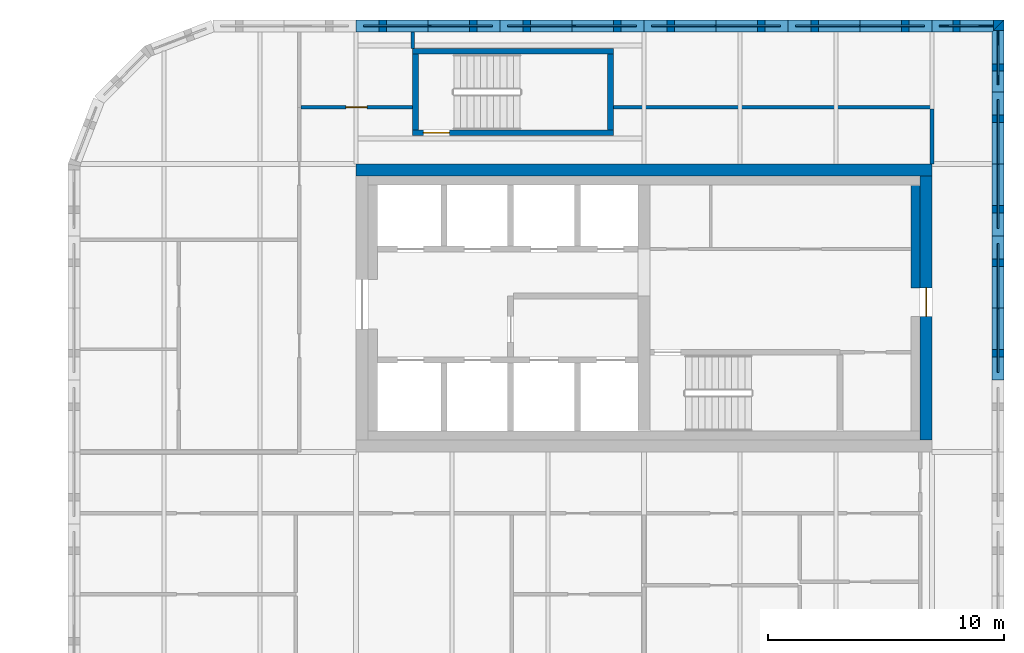
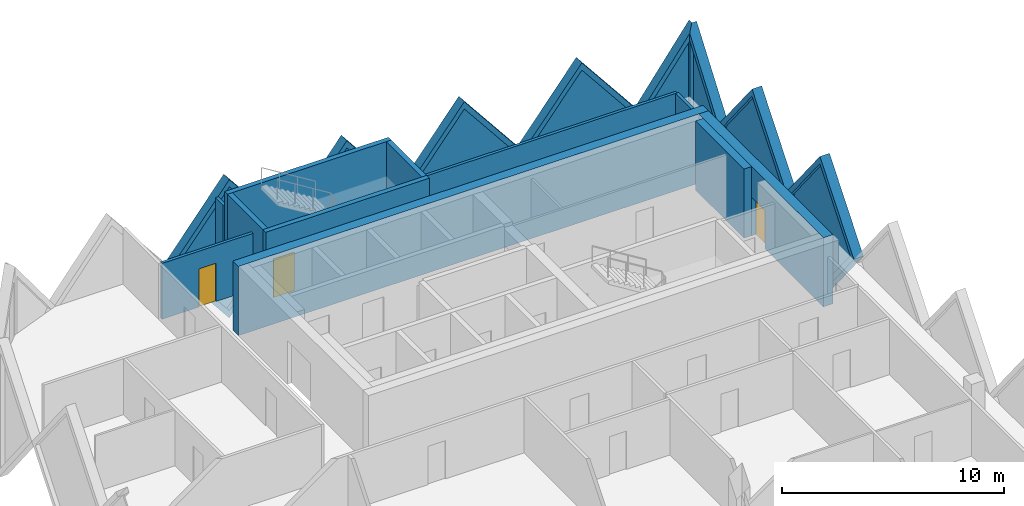
# One storey, part 15 of 18: 19 walls, 8 plates, 3 doors, 11 openings.
"""IFC4 building model written with IfcOpenShell, lengths in metres."""

from ifc_helpers import new_model, si_unit, direction, frame, frame_2d, origin, place, context, subcontext, project, spatial, polyline, rectangle, outline, extrude, faceted_brep, source, transform, mapped, material, layer, layer_set, type_object, element, fill, save


model = new_model("IFC4")

# Units and contexts
model_context = context("Model", 3, precision=1e-05, world=origin(), true_north=direction((0.0, 1.0)))
body_context = subcontext(model_context, "Body", "Model", "MODEL_VIEW")
ifc_project = project(units=[si_unit("LENGTHUNIT", "METRE"), si_unit("AREAUNIT", "SQUARE_METRE"), si_unit("VOLUMEUNIT", "CUBIC_METRE"), si_unit("PLANEANGLEUNIT", "RADIAN"), si_unit("MASSUNIT", "GRAM", prefix="KILO")], contexts=[model_context])

# Site, building, storey
site_placement = place(None, origin())
site = spatial("IfcSite", under=ifc_project, at=site_placement, CompositionType="ELEMENT")
building_placement = place(site_placement, origin())
building = spatial("IfcBuilding", under=site, at=building_placement, Name="Tessera Gate Towers", CompositionType="ELEMENT")
storey_placement = place(building_placement, frame((0.0, 0.0, 99.0)))
storey = spatial("IfcBuildingStorey", under=building, at=storey_placement, Name="L24", CompositionType="ELEMENT", Elevation=99.0)

# Wall, opening, door
ifc_material_1 = material(Name="Concrete C40/50", Category="concrete")
ifc_layer_1 = layer(ifc_material_1, 0.25)
ifc_layer_set_1 = layer_set([ifc_layer_1], Name="CORE ENCLOSURE WALL 250")
wall_type_1 = type_object("IfcWallType", Name="CORE ENCLOSURE WALL 250", PredefinedType="SOLIDWALL", material=ifc_layer_set_1)
wall_1_placement = place(storey_placement, frame((108.5, 50.125, 0.0), z_axis=(0.0, 0.0, 1.0), x_axis=(-1.0, 0.0, 0.0)))
wall_1 = element("IfcWall", 1, at=wall_1_placement, inside=storey, type_object=wall_type_1, Name="L24 ST7 enclosure wall", PredefinedType="SOLIDWALL", context=body_context, shape_type="SweptSolid", body=[
    extrude(rectangle(XDim=8.5, YDim=0.25, at=frame_2d((4.25, 0.0))), origin(), (0.0, 0.0, 1.0), 3.800048828125),
])
shared_shape_1 = source(origin(), body_context, "Body", "SweptSolid", [
    extrude(rectangle(XDim=1.10009765625, YDim=2.10009765625, at=frame_2d((0.550048828125, 1.050048828125))), frame((0.0, 0.135009765625, 0.0), z_axis=(0.0, -1.0, 0.0), x_axis=(1.0, 0.0, 0.0)), (0.0, 0.0, 1.0), 0.27001953125),
])
opening_1_placement = place(wall_1_placement, frame((6.949951171875, 0.0, 0.0)))
opening_1 = element("IfcOpeningElement", 2, at=opening_1_placement, cuts=wall_1, Name="Opening SD-ST7-1", PredefinedType="OPENING", context=body_context, shape_type="MappedRepresentation", body=[
    mapped(shared_shape_1, transform((0.0, 0.0, 0.0), scale=1.0)),
])
ifc_material_2 = material(Name="Hollow steel fire door", Category="steel")
door_type_1 = type_object("IfcDoorType", Name="CORE DOOR SD1100 1100x2100", OperationType="NOTDEFINED", PredefinedType="DOOR", material=ifc_material_2)
shared_shape_2 = source(origin(), body_context, "Body", "SweptSolid", [
    extrude(rectangle(XDim=1.10009765625, YDim=2.10009765625, at=frame_2d((0.550048828125, 1.050048828125))), frame((0.0, 0.02490234375, 0.0), z_axis=(0.0, -1.0, 0.0), x_axis=(1.0, 0.0, 0.0)), (0.0, 0.0, 1.0), 0.050048828125),
])
door_1_placement = place(opening_1_placement, origin())
door_1 = element("IfcDoor", 3, at=door_1_placement, inside=storey, type_object=door_type_1, Name="Stair door", OperationType="SINGLE_SWING_RIGHT", OverallHeight=2.10009765625, OverallWidth=1.10009765625, PredefinedType="DOOR", context=body_context, shape_type="MappedRepresentation", body=[
    mapped(shared_shape_2, transform((0.0, 0.0, 0.0), scale=1.0)),
])
fill(opening_1, door_1)

# Walls
wall_2_placement = place(storey_placement, frame((100.125, 50.25, 0.0), z_axis=(0.0, 0.0, 1.0), x_axis=(0.0, 1.0, 0.0)))
element("IfcWall", 4, at=wall_2_placement, inside=storey, type_object=wall_type_1, Name="L24 ST7 enclosure wall", PredefinedType="SOLIDWALL", context=body_context, shape_type="SweptSolid", body=[
    extrude(rectangle(XDim=3.199951171875, YDim=0.25, at=frame_2d((1.60009765625, 0.0))), origin(), (0.0, 0.0, 1.0), 3.800048828125),
])
wall_3_placement = place(storey_placement, frame((100.0, 53.574951171875, 0.0), z_axis=(0.0, 0.0, 1.0), x_axis=(1.0, 0.0, 0.0)))
element("IfcWall", 5, at=wall_3_placement, inside=storey, type_object=wall_type_1, Name="L24 ST7 enclosure wall", PredefinedType="SOLIDWALL", context=body_context, shape_type="SweptSolid", body=[
    extrude(rectangle(XDim=8.5, YDim=0.25, at=frame_2d((4.25, 0.0))), origin(), (0.0, 0.0, 1.0), 3.800048828125),
])
wall_4_placement = place(storey_placement, frame((108.375, 53.449951171875, 0.0), z_axis=(0.0, 0.0, 1.0), x_axis=(0.0, -1.0, 0.0)))
element("IfcWall", 6, at=wall_4_placement, inside=storey, type_object=wall_type_1, Name="L24 ST7 enclosure wall", PredefinedType="SOLIDWALL", context=body_context, shape_type="SweptSolid", body=[
    extrude(rectangle(XDim=3.199951171875, YDim=0.25, at=frame_2d((1.60009765625, 0.0))), origin(), (0.0, 0.0, 1.0), 3.800048828125),
])
ifc_material_3 = material(Name="Concrete C50/60", Category="concrete")
ifc_layer_2 = layer(ifc_material_3, 0.5)
ifc_layer_set_2 = layer_set([ifc_layer_2], Name="CORE SHEAR WALL 500 C50/60")
wall_type_2 = type_object("IfcWallType", Name="CORE SHEAR WALL 500 C50/60", PredefinedType="SHEAR", material=ifc_layer_set_2)
wall_5_placement = place(storey_placement, frame((97.60009765625, 48.550048828125, 0.0), z_axis=(0.0, 0.0, 1.0), x_axis=(1.0, 0.0, 0.0)))
element("IfcWall", 7, at=wall_5_placement, inside=storey, type_object=wall_type_2, Name="Core wall N L24", PredefinedType="SHEAR", context=body_context, shape_type="SweptSolid", body=[
    extrude(rectangle(XDim=24.39990234375, YDim=0.5, at=frame_2d((12.199951171875, 0.0))), origin(), (0.0, 0.0, 1.0), 3.800048828125),
])

# Wall, opening, door
wall_6_placement = place(storey_placement, frame((121.75, 48.300048828125, 0.0), z_axis=(0.0, 0.0, 1.0), x_axis=(0.0, -1.0, 0.0)))
wall_6 = element("IfcWall", 8, at=wall_6_placement, inside=storey, type_object=wall_type_2, Name="Core wall E L24", PredefinedType="SHEAR", context=body_context, shape_type="SweptSolid", body=[
    extrude(rectangle(XDim=11.199951171875, YDim=0.5, at=frame_2d((5.60009765625, 0.0))), origin(), (0.0, 0.0, 1.0), 3.800048828125),
])
shared_shape_3 = source(origin(), body_context, "Body", "SweptSolid", [
    extrude(rectangle(XDim=1.199951171875, YDim=2.10009765625, at=frame_2d((0.60009765625, 1.050048828125))), frame((0.0, 0.260009765625, 0.0), z_axis=(0.0, -1.0, 0.0), x_axis=(1.0, 0.0, 0.0)), (0.0, 0.0, 1.0), 0.52001953125),
])
opening_2_placement = place(wall_6_placement, frame((4.75, 0.0, 0.0)))
opening_2 = element("IfcOpeningElement", 9, at=opening_2_placement, cuts=wall_6, Name="Opening ED-T2-12-02", PredefinedType="OPENING", context=body_context, shape_type="MappedRepresentation", body=[
    mapped(shared_shape_3, transform((0.0, 0.0, 0.0), scale=1.0)),
])
ifc_material_4 = material(Name="Hollow steel fire door", Category="steel")
door_type_2 = type_object("IfcDoorType", Name="CORE DOOR ED 1200x2100", OperationType="NOTDEFINED", PredefinedType="DOOR", material=ifc_material_4)
shared_shape_4 = source(origin(), body_context, "Body", "SweptSolid", [
    extrude(rectangle(XDim=1.199951171875, YDim=2.10009765625, at=frame_2d((0.60009765625, 1.050048828125))), frame((0.0, 0.02490234375, 0.0), z_axis=(0.0, -1.0, 0.0), x_axis=(1.0, 0.0, 0.0)), (0.0, 0.0, 1.0), 0.050048828125),
])
door_2_placement = place(opening_2_placement, origin())
door_2 = element("IfcDoor", 10, at=door_2_placement, inside=storey, type_object=door_type_2, Name="Core exit door", OperationType="SINGLE_SWING_LEFT", OverallHeight=2.10009765625, OverallWidth=1.199951171875, PredefinedType="DOOR", context=body_context, shape_type="MappedRepresentation", body=[
    mapped(shared_shape_4, transform((0.0, 0.0, 0.0), scale=1.0)),
])
fill(opening_2, door_2)

# Walls
ifc_material_5 = material(Name="Concrete C50/60", Category="concrete")
ifc_layer_3 = layer(ifc_material_5, 0.39990234375)
ifc_layer_set_3 = layer_set([ifc_layer_3], Name="CORE WALL THICKENING 400")
wall_type_3 = type_object("IfcWallType", Name="CORE WALL THICKENING 400", PredefinedType="SOLIDWALL", material=ifc_layer_set_3)
wall_7_placement = place(storey_placement, frame((121.300048828125, 43.550048828125, 0.0), z_axis=(0.0, 0.0, 1.0), x_axis=(0.0, 1.0, 0.0)))
element("IfcWall", 11, at=wall_7_placement, inside=storey, type_object=wall_type_3, Name="Core wall thickening E L24", PredefinedType="SOLIDWALL", context=body_context, shape_type="SweptSolid", body=[
    extrude(rectangle(XDim=4.349853515625, YDim=0.39990234375, at=frame_2d((2.1748046875, 0.0))), origin(), (0.0, 0.0, 1.0), 3.800048828125),
])
ifc_material_6 = material(Name="Gypsum board on steel studs, mineral wool", Category="steel")
ifc_layer_4 = layer(ifc_material_6, 0.14990234375)
ifc_layer_set_4 = layer_set([ifc_layer_4], Name="CORRIDOR WALL 150")
wall_type_4 = type_object("IfcWallType", Name="CORRIDOR WALL 150", PredefinedType="PARTITIONING", material=ifc_layer_set_4)
wall_8_placement = place(storey_placement, frame((122.0, 48.800048828125, 0.0), z_axis=(0.0, 0.0, 1.0), x_axis=(0.0, 1.0, 0.0)))
element("IfcWall", 12, at=wall_8_placement, inside=storey, type_object=wall_type_4, Name="T2-L24-PW-031", PredefinedType="PARTITIONING", context=body_context, shape_type="SweptSolid", body=[
    extrude(rectangle(XDim=2.323974609375, YDim=0.14990234375, at=frame_2d((1.162109375, 0.0))), origin(), (0.0, 0.0, 1.0), 3.06689453125),
])

# Wall, opening, door
wall_9_placement = place(storey_placement, frame((95.27587890625, 51.199951171875, 0.0), z_axis=(0.0, 0.0, 1.0), x_axis=(1.0, 0.0, 0.0)))
wall_9 = element("IfcWall", 13, at=wall_9_placement, inside=storey, type_object=wall_type_4, Name="T2-L24-PW-033", PredefinedType="PARTITIONING", context=body_context, shape_type="SweptSolid", body=[
    extrude(rectangle(XDim=4.72412109375, YDim=0.14990234375, at=frame_2d((2.362060546875, 0.0))), origin(), (0.0, 0.0, 1.0), 3.06689453125),
])
shared_shape_5 = source(origin(), body_context, "Body", "SweptSolid", [
    extrude(rectangle(XDim=0.89990234375, YDim=2.10009765625, at=frame_2d((0.449951171875, 1.050048828125))), frame((0.0, 0.0849609375, 0.0), z_axis=(0.0, -1.0, 0.0), x_axis=(1.0, 0.0, 0.0)), (0.0, 0.0, 1.0), 0.169921875),
])
opening_3_placement = place(wall_9_placement, frame((1.89990234375, 0.0, 0.0)))
opening_3 = element("IfcOpeningElement", 14, at=opening_3_placement, cuts=wall_9, Name="Opening D890FD60-B10-01", PredefinedType="OPENING", context=body_context, shape_type="MappedRepresentation", body=[
    mapped(shared_shape_5, transform((0.0, 0.0, 0.0), scale=1.0)),
])
ifc_material_7 = material(Name="Timber door leaf in steel frame", Category="steel")
door_type_3 = type_object("IfcDoorType", Name="CORRIDOR DOOR 900 FD60", OperationType="NOTDEFINED", PredefinedType="DOOR", material=ifc_material_7)
shared_shape_6 = source(origin(), body_context, "Body", "SweptSolid", [
    extrude(rectangle(XDim=0.89990234375, YDim=2.10009765625, at=frame_2d((0.449951171875, 1.050048828125))), frame((0.0, 0.02490234375, 0.0), z_axis=(0.0, -1.0, 0.0), x_axis=(1.0, 0.0, 0.0)), (0.0, 0.0, 1.0), 0.050048828125),
])
door_3_placement = place(opening_3_placement, origin())
door_3 = element("IfcDoor", 15, at=door_3_placement, inside=storey, type_object=door_type_3, Name="T2-L24-PD-007", OperationType="SINGLE_SWING_LEFT", OverallHeight=2.10009765625, OverallWidth=0.89990234375, PredefinedType="DOOR", context=body_context, shape_type="MappedRepresentation", body=[
    mapped(shared_shape_6, transform((0.0, 0.0, 0.0), scale=1.0)),
])
fill(opening_3, door_3)

# Walls
wall_10_placement = place(storey_placement, frame((108.5, 51.199951171875, 0.0), z_axis=(0.0, 0.0, 1.0), x_axis=(1.0, 0.0, 0.0)))
element("IfcWall", 16, at=wall_10_placement, inside=storey, type_object=wall_type_4, Name="T2-L24-PW-034", PredefinedType="PARTITIONING", context=body_context, shape_type="SweptSolid", body=[
    extrude(rectangle(XDim=13.5, YDim=0.14990234375, at=frame_2d((6.75, 0.0))), origin(), (0.0, 0.0, 1.0), 3.06689453125),
])
ifc_material_8 = material(Name="Gypsum board on steel studs, mineral wool", Category="steel")
ifc_layer_5 = layer(ifc_material_8, 0.14990234375)
ifc_layer_set_5 = layer_set([ifc_layer_5], Name="TENANCY WALL 150")
wall_type_5 = type_object("IfcWallType", Name="TENANCY WALL 150", PredefinedType="PARTITIONING", material=ifc_layer_set_5)
wall_11_placement = place(storey_placement, frame((100.0, 53.699951171875, 0.0), z_axis=(0.0, 0.0, 1.0), x_axis=(0.0, 1.0, 0.0)))
element("IfcWall", 17, at=wall_11_placement, inside=storey, type_object=wall_type_5, Name="T2-L24-PW-035", PredefinedType="PARTITIONING", context=body_context, shape_type="SweptSolid", body=[
    extrude(rectangle(XDim=0.699951171875, YDim=0.14990234375, at=frame_2d((0.35009765625, 0.0))), origin(), (0.0, 0.0, 1.0), 3.06689453125),
])

# Wall, opening, plate
ifc_material_9 = material(Name="Precast concrete C60/75 white", Category="concrete")
ifc_layer_6 = layer(ifc_material_9, 0.5)
ifc_layer_set_6 = layer_set([ifc_layer_6], Name="TS1 tessera")
wall_type_6 = type_object("IfcWallType", Name="TS1 tessera", PredefinedType="SOLIDWALL", material=ifc_layer_set_6)
shared_shape_7 = source(origin(), body_context, "Body", "Brep", [
    faceted_brep([(3.050048828125, -0.25, 0.0), (6.099853515625, -0.25, 3.7998046875), (6.099853515625, -0.25, 3.80029296875), (3.050048828125, -0.25, 7.60009765625), (0.0, -0.25, 3.800048828125), (0.0, 0.25, 3.800048828125), (3.050048828125, 0.25, 7.60009765625), (6.099853515625, 0.25, 3.80029296875), (6.099853515625, 0.25, 3.7998046875), (3.050048828125, 0.25, 0.0)], [[[0, 1, 2, 3, 4]], [[5, 6, 7, 8, 9]], [[9, 8, 1, 0]], [[7, 6, 3, 2]], [[6, 5, 4, 3]], [[5, 9, 0, 4]], [[1, 8, 7, 2]]]),
])
wall_12_placement = place(storey_placement, frame((115.89990234375, 54.64990234375, -3.800048828125), z_axis=(0.0, 0.0, 1.0), x_axis=(-1.0, 0.0, 0.0)))
wall_12 = element("IfcWall", 18, at=wall_12_placement, inside=storey, type_object=wall_type_6, Name="Precast tessera T2 TS1-0299", PredefinedType="SOLIDWALL", context=body_context, shape_type="MappedRepresentation", body=[
    mapped(shared_shape_7, transform((0.0, 0.0, 0.0), scale=1.0)),
])
shared_shape_8 = source(origin(), body_context, "Body", "SweptSolid", [
    extrude(outline(polyline([(3.050048828125, 0.3994140625), (5.779541015625, 3.800048828125), (3.050048828125, 7.20068359375), (0.320556640625, 3.800048828125), (3.050048828125, 0.3994140625)])), frame((0.0, 0.260009765625, 0.0), z_axis=(0.0, -1.0, 0.0), x_axis=(1.0, 0.0, 0.0)), (0.0, 0.0, 1.0), 0.52001953125),
])
opening_4_placement = place(wall_12_placement, origin())
opening_4 = element("IfcOpeningElement", 19, at=opening_4_placement, cuts=wall_12, Name="Opening T2-PL2-0559", PredefinedType="OPENING", context=body_context, shape_type="MappedRepresentation", body=[
    mapped(shared_shape_8, transform((0.0, 0.0, 0.0), scale=1.0)),
])
ifc_material_10 = material(Name="Low-e laminated glass", Category="glass")
ifc_layer_7 = layer(ifc_material_10, 0.06005859375)
ifc_layer_set_7 = layer_set([ifc_layer_7], Name="PL2 rhombic pane")
plate_type = type_object("IfcPlateType", Name="PL2 rhombic pane", PredefinedType="SHEET", material=ifc_layer_set_7)
shared_shape_9 = source(origin(), body_context, "Body", "SweptSolid", [
    extrude(outline(polyline([(3.050048828125, 0.3994140625), (5.779541015625, 3.800048828125), (3.050048828125, 7.20068359375), (0.320556640625, 3.800048828125), (3.050048828125, 0.3994140625)])), frame((0.0, 0.030029296875, 0.0), z_axis=(0.0, -1.0, 0.0), x_axis=(1.0, 0.0, 0.0)), (0.0, 0.0, 1.0), 0.06005859375),
])
plate_1_placement = place(opening_4_placement, origin())
plate_1 = element("IfcPlate", 20, at=plate_1_placement, inside=storey, type_object=plate_type, Name="Glass pane T2 PL2-0559", PredefinedType="SHEET", context=body_context, shape_type="MappedRepresentation", body=[
    mapped(shared_shape_9, transform((0.0, 0.0, 0.0), scale=1.0)),
])
fill(opening_4, plate_1)

wall_13_placement = place(storey_placement, frame((103.699951171875, 54.64990234375, -3.800048828125), z_axis=(0.0, 0.0, 1.0), x_axis=(-1.0, 0.0, 0.0)))
wall_13 = element("IfcWall", 21, at=wall_13_placement, inside=storey, type_object=wall_type_6, Name="Precast tessera T2 TS1-0301", PredefinedType="SOLIDWALL", context=body_context, shape_type="MappedRepresentation", body=[
    mapped(shared_shape_7, transform((0.0, 0.0, 0.0), scale=1.0)),
])
opening_5_placement = place(wall_13_placement, origin())
opening_5 = element("IfcOpeningElement", 22, at=opening_5_placement, cuts=wall_13, Name="Opening T2-PL2-0561", PredefinedType="OPENING", context=body_context, shape_type="MappedRepresentation", body=[
    mapped(shared_shape_8, transform((0.0, 0.0, 0.0), scale=1.0)),
])
plate_2_placement = place(opening_5_placement, origin())
plate_2 = element("IfcPlate", 23, at=plate_2_placement, inside=storey, type_object=plate_type, Name="Glass pane T2 PL2-0561", PredefinedType="SHEET", context=body_context, shape_type="MappedRepresentation", body=[
    mapped(shared_shape_9, transform((0.0, 0.0, 0.0), scale=1.0)),
])
fill(opening_5, plate_2)

shared_shape_10 = source(origin(), body_context, "Body", "SweptSolid", [
    extrude(outline(polyline([(3.050048828125, 0.0), (6.10009765625, 3.800048828125), (3.050048828125, 7.60009765625), (0.0, 3.800048828125), (3.050048828125, 0.0)])), frame((0.0, 0.25, 0.0), z_axis=(0.0, -1.0, 0.0), x_axis=(1.0, 0.0, 0.0)), (0.0, 0.0, 1.0), 0.5),
])
wall_14_placement = place(storey_placement, frame((124.800048828125, 39.64990234375, -3.800048828125), z_axis=(0.0, 0.0, 1.0), x_axis=(0.0, 1.0, 0.0)))
wall_14 = element("IfcWall", 24, at=wall_14_placement, inside=storey, type_object=wall_type_6, Name="Precast tessera T2 TS1-0296", PredefinedType="SOLIDWALL", context=body_context, shape_type="MappedRepresentation", body=[
    mapped(shared_shape_10, transform((0.0, 0.0, 0.0), scale=1.0)),
])
opening_6_placement = place(wall_14_placement, origin())
opening_6 = element("IfcOpeningElement", 25, at=opening_6_placement, cuts=wall_14, Name="Opening T2-PL2-0554", PredefinedType="OPENING", context=body_context, shape_type="MappedRepresentation", body=[
    mapped(shared_shape_8, transform((0.0, 0.0, 0.0), scale=1.0)),
])
plate_3_placement = place(opening_6_placement, origin())
plate_3 = element("IfcPlate", 26, at=plate_3_placement, inside=storey, type_object=plate_type, Name="Glass pane T2 PL2-0554", PredefinedType="SHEET", context=body_context, shape_type="MappedRepresentation", body=[
    mapped(shared_shape_9, transform((0.0, 0.0, 0.0), scale=1.0)),
])
fill(opening_6, plate_3)

wall_15_placement = place(storey_placement, frame((124.800048828125, 45.75, -3.800048828125), z_axis=(0.0, 0.0, 1.0), x_axis=(0.0, 1.0, 0.0)))
wall_15 = element("IfcWall", 27, at=wall_15_placement, inside=storey, type_object=wall_type_6, Name="Precast tessera T2 TS1-0297", PredefinedType="SOLIDWALL", context=body_context, shape_type="MappedRepresentation", body=[
    mapped(shared_shape_10, transform((0.0, 0.0, 0.0), scale=1.0)),
])
opening_7_placement = place(wall_15_placement, origin())
opening_7 = element("IfcOpeningElement", 28, at=opening_7_placement, cuts=wall_15, Name="Opening T2-PL2-0555", PredefinedType="OPENING", context=body_context, shape_type="MappedRepresentation", body=[
    mapped(shared_shape_8, transform((0.0, 0.0, 0.0), scale=1.0)),
])
plate_4_placement = place(opening_7_placement, origin())
plate_4 = element("IfcPlate", 29, at=plate_4_placement, inside=storey, type_object=plate_type, Name="Glass pane T2 PL2-0555", PredefinedType="SHEET", context=body_context, shape_type="MappedRepresentation", body=[
    mapped(shared_shape_9, transform((0.0, 0.0, 0.0), scale=1.0)),
])
fill(opening_7, plate_4)

wall_16_placement = place(storey_placement, frame((122.0, 54.64990234375, -3.800048828125), z_axis=(0.0, 0.0, 1.0), x_axis=(-1.0, 0.0, 0.0)))
wall_16 = element("IfcWall", 30, at=wall_16_placement, inside=storey, type_object=wall_type_6, Name="Precast tessera T2 TS1-0298", PredefinedType="SOLIDWALL", context=body_context, shape_type="MappedRepresentation", body=[
    mapped(shared_shape_10, transform((0.0, 0.0, 0.0), scale=1.0)),
])
opening_8_placement = place(wall_16_placement, origin())
opening_8 = element("IfcOpeningElement", 31, at=opening_8_placement, cuts=wall_16, Name="Opening T2-PL2-0558", PredefinedType="OPENING", context=body_context, shape_type="MappedRepresentation", body=[
    mapped(shared_shape_8, transform((0.0, 0.0, 0.0), scale=1.0)),
])
plate_5_placement = place(opening_8_placement, origin())
plate_5 = element("IfcPlate", 32, at=plate_5_placement, inside=storey, type_object=plate_type, Name="Glass pane T2 PL2-0558", PredefinedType="SHEET", context=body_context, shape_type="MappedRepresentation", body=[
    mapped(shared_shape_9, transform((0.0, 0.0, 0.0), scale=1.0)),
])
fill(opening_8, plate_5)

wall_17_placement = place(storey_placement, frame((109.800048828125, 54.64990234375, -3.800048828125), z_axis=(0.0, 0.0, 1.0), x_axis=(-1.0, 0.0, 0.0)))
wall_17 = element("IfcWall", 33, at=wall_17_placement, inside=storey, type_object=wall_type_6, Name="Precast tessera T2 TS1-0300", PredefinedType="SOLIDWALL", context=body_context, shape_type="MappedRepresentation", body=[
    mapped(shared_shape_10, transform((0.0, 0.0, 0.0), scale=1.0)),
])
opening_9_placement = place(wall_17_placement, origin())
opening_9 = element("IfcOpeningElement", 34, at=opening_9_placement, cuts=wall_17, Name="Opening T2-PL2-0560", PredefinedType="OPENING", context=body_context, shape_type="MappedRepresentation", body=[
    mapped(shared_shape_8, transform((0.0, 0.0, 0.0), scale=1.0)),
])
plate_6_placement = place(opening_9_placement, origin())
plate_6 = element("IfcPlate", 35, at=plate_6_placement, inside=storey, type_object=plate_type, Name="Glass pane T2 PL2-0560", PredefinedType="SHEET", context=body_context, shape_type="MappedRepresentation", body=[
    mapped(shared_shape_9, transform((0.0, 0.0, 0.0), scale=1.0)),
])
fill(opening_9, plate_6)

ifc_material_11 = material(Name="Precast concrete C60/75 white", Category="concrete")
ifc_layer_8 = layer(ifc_material_11, 0.5)
ifc_layer_set_8 = layer_set([ifc_layer_8], Name="TS3 corner tessera")
wall_type_7 = type_object("IfcWallType", Name="TS3 corner tessera", PredefinedType="SOLIDWALL", material=ifc_layer_set_8)
shared_shape_11 = source(origin(), body_context, "Body", "Brep", [
    faceted_brep([(2.800048828125, -0.25, 0.0), (3.050048828125, -0.25, 0.339111328125), (3.050048828125, -0.25, 7.260986328125), (2.800048828125, -0.25, 7.60009765625), (0.0, -0.25, 3.800048828125), (0.0, 0.25, 3.800048828125), (2.550048828125, 0.25, 7.2607421875), (2.550048828125, 0.25, 0.33935546875), (2.800048828125, 0.0, 0.0), (2.800048828125, 0.0, 7.60009765625)], [[[0, 1, 2, 3, 4]], [[5, 6, 7]], [[1, 0, 8]], [[9, 3, 2]], [[6, 5, 4, 3, 9]], [[5, 7, 8, 0, 4]], [[1, 8, 7, 6, 9, 2]]]),
])
wall_18_placement = place(storey_placement, frame((124.800048828125, 51.85009765625, -3.800048828125), z_axis=(0.0, 0.0, 1.0), x_axis=(0.0, 1.0, 0.0)))
wall_18 = element("IfcWall", 36, at=wall_18_placement, inside=storey, type_object=wall_type_7, Name="Precast corner tessera T2 TS3-0363", PredefinedType="SOLIDWALL", context=body_context, shape_type="MappedRepresentation", body=[
    mapped(shared_shape_11, transform((0.0, 0.0, 0.0), scale=1.0)),
])
shared_shape_12 = source(origin(), body_context, "Body", "SweptSolid", [
    extrude(outline(polyline([(2.60009765625, 6.9072265625), (0.310546875, 3.800048828125), (2.60009765625, 0.69287109375), (2.60009765625, 6.9072265625)])), frame((0.0, 0.260009765625, 0.0), z_axis=(0.0, -1.0, 0.0), x_axis=(1.0, 0.0, 0.0)), (0.0, 0.0, 1.0), 0.52001953125),
])
opening_10_placement = place(wall_18_placement, origin())
opening_10 = element("IfcOpeningElement", 37, at=opening_10_placement, cuts=wall_18, Name="Opening T2-PL2-0556", PredefinedType="OPENING", context=body_context, shape_type="MappedRepresentation", body=[
    mapped(shared_shape_12, transform((0.0, 0.0, 0.0), scale=1.0)),
])
shared_shape_13 = source(origin(), body_context, "Body", "SweptSolid", [
    extrude(outline(polyline([(2.60009765625, 6.9072265625), (0.310546875, 3.800048828125), (2.60009765625, 0.69287109375), (2.60009765625, 6.9072265625)])), frame((0.0, 0.030029296875, 0.0), z_axis=(0.0, -1.0, 0.0), x_axis=(1.0, 0.0, 0.0)), (0.0, 0.0, 1.0), 0.06005859375),
])
plate_7_placement = place(opening_10_placement, origin())
plate_7 = element("IfcPlate", 38, at=plate_7_placement, inside=storey, type_object=plate_type, Name="Glass pane T2 PL2-0556", PredefinedType="SHEET", context=body_context, shape_type="MappedRepresentation", body=[
    mapped(shared_shape_13, transform((0.0, 0.0, 0.0), scale=1.0)),
])
fill(opening_10, plate_7)

shared_shape_14 = source(origin(), body_context, "Body", "Brep", [
    faceted_brep([(0.25, -0.25, 0.0), (3.050048828125, -0.25, 3.800048828125), (0.25, -0.25, 7.60009765625), (0.0, -0.25, 7.2607421875), (0.0, -0.25, 0.33935546875), (0.5, 0.25, 7.2607421875), (3.050048828125, 0.25, 3.800048828125), (0.5, 0.25, 0.33935546875), (0.25, 0.0, 0.0), (0.25, 0.0, 7.60009765625)], [[[0, 1, 2, 3, 4]], [[5, 6, 7]], [[7, 6, 1, 0, 8]], [[6, 5, 9, 2, 1]], [[3, 2, 9]], [[8, 0, 4]], [[7, 8, 4, 3, 9, 5]]]),
])
wall_19_placement = place(storey_placement, frame((125.050048828125, 54.64990234375, -3.800048828125), z_axis=(0.0, 0.0, 1.0), x_axis=(-1.0, 0.0, 0.0)))
wall_19 = element("IfcWall", 39, at=wall_19_placement, inside=storey, type_object=wall_type_7, Name="Precast corner tessera T2 TS3-0364", PredefinedType="SOLIDWALL", context=body_context, shape_type="MappedRepresentation", body=[
    mapped(shared_shape_14, transform((0.0, 0.0, 0.0), scale=1.0)),
])
shared_shape_15 = source(origin(), body_context, "Body", "SweptSolid", [
    extrude(outline(polyline([(0.449951171875, 0.69287109375), (2.739501953125, 3.800048828125), (0.449951171875, 6.9072265625), (0.449951171875, 0.69287109375)])), frame((0.0, 0.260009765625, 0.0), z_axis=(0.0, -1.0, 0.0), x_axis=(1.0, 0.0, 0.0)), (0.0, 0.0, 1.0), 0.52001953125),
])
opening_11_placement = place(wall_19_placement, origin())
opening_11 = element("IfcOpeningElement", 40, at=opening_11_placement, cuts=wall_19, Name="Opening T2-PL2-0557", PredefinedType="OPENING", context=body_context, shape_type="MappedRepresentation", body=[
    mapped(shared_shape_15, transform((0.0, 0.0, 0.0), scale=1.0)),
])
shared_shape_16 = source(origin(), body_context, "Body", "SweptSolid", [
    extrude(outline(polyline([(0.449951171875, 0.69287109375), (2.739501953125, 3.800048828125), (0.449951171875, 6.9072265625), (0.449951171875, 0.69287109375)])), frame((0.0, 0.030029296875, 0.0), z_axis=(0.0, -1.0, 0.0), x_axis=(1.0, 0.0, 0.0)), (0.0, 0.0, 1.0), 0.06005859375),
])
plate_8_placement = place(opening_11_placement, origin())
plate_8 = element("IfcPlate", 41, at=plate_8_placement, inside=storey, type_object=plate_type, Name="Glass pane T2 PL2-0557", PredefinedType="SHEET", context=body_context, shape_type="MappedRepresentation", body=[
    mapped(shared_shape_16, transform((0.0, 0.0, 0.0), scale=1.0)),
])
fill(opening_11, plate_8)

save(model, "model.ifc")
